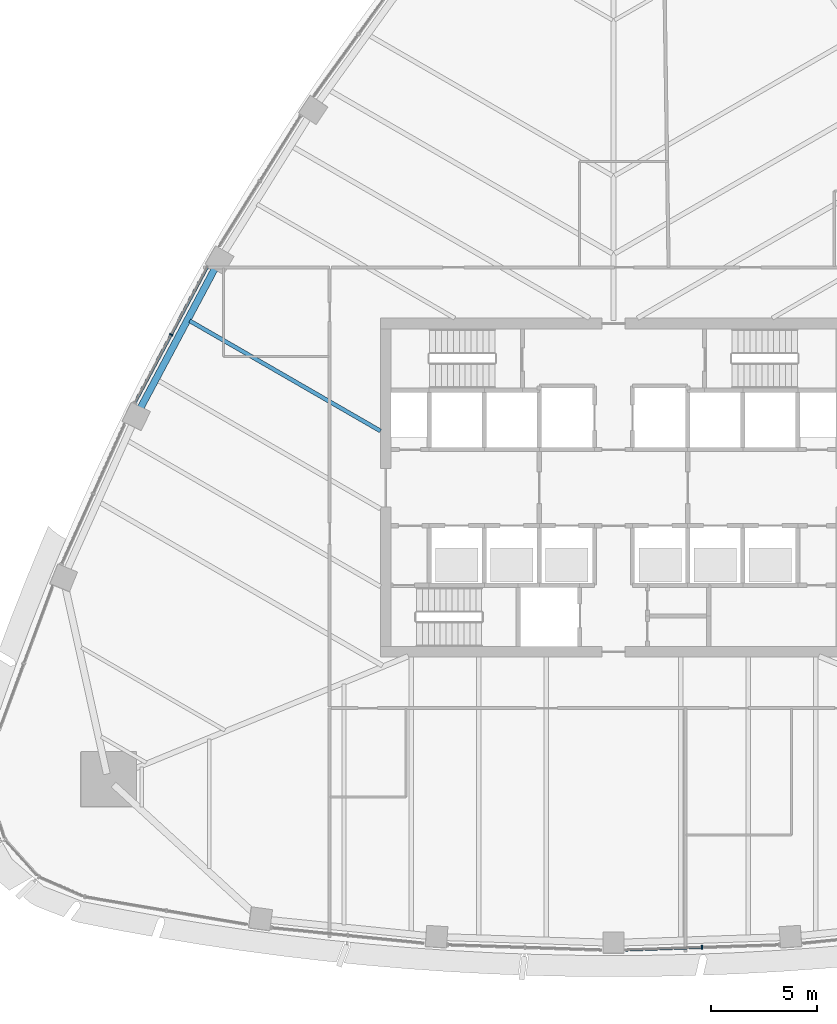
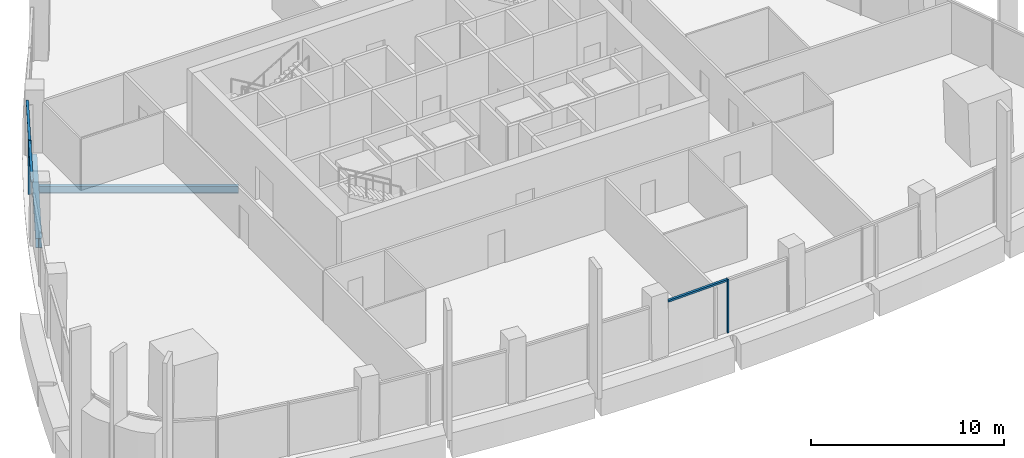
# One storey, part 3 of 17: 5 members, 2 beams, 2 elements without a shape of their own.
"""IFC4 building model written with IfcOpenShell, lengths in metres."""

from ifc_helpers import new_model, si_unit, direction, frame, origin, origin_2d, place, context, subcontext, project, spatial, rectangle, i_section, extrude, material, layer, layer_set, material_profile, profile_set, type_object, element, aggregate, save


model = new_model("IFC4")

# Units and contexts
model_context = context("Model", 3, precision=1e-05, world=origin(), true_north=direction((0.0, 1.0)))
body_context = subcontext(model_context, "Body", "Model", "MODEL_VIEW")
ifc_project = project(units=[si_unit("LENGTHUNIT", "METRE"), si_unit("AREAUNIT", "SQUARE_METRE"), si_unit("VOLUMEUNIT", "CUBIC_METRE"), si_unit("PLANEANGLEUNIT", "RADIAN"), si_unit("MASSUNIT", "GRAM", prefix="KILO")], contexts=[model_context])

# Site, building, storey
site_placement = place(None, origin())
site = spatial("IfcSite", under=ifc_project, at=site_placement, CompositionType="ELEMENT")
building_placement = place(site_placement, origin())
building = spatial("IfcBuilding", under=site, at=building_placement, Name="Sierra Prisma Convention Tower", CompositionType="ELEMENT")
storey_placement = place(building_placement, frame((0.0, 0.0, 169.800048828125)))
storey = spatial("IfcBuildingStorey", under=building, at=storey_placement, Name="L37", CompositionType="ELEMENT", Elevation=169.800048828125)

# Curtain wall, member
ifc_material_1 = material(Name="Aluminium and glass curtain wall", Category="aluminium")
ifc_layer = layer(ifc_material_1, 0.179931640625)
ifc_layer_set = layer_set([ifc_layer], Name="CW-1 Plain shaft curtain wall")
curtain_wall_type = type_object("IfcCurtainWallType", Name="CW-1 Plain shaft curtain wall", PredefinedType="NOTDEFINED", material=ifc_layer_set)
curtain_wall_1_placement = place(storey_placement, origin())
curtain_wall_1 = element("IfcCurtainWall", 1, at=curtain_wall_1_placement, inside=storey, type_object=curtain_wall_type, Name="CW-1 S4 L37", PredefinedType="NOTDEFINED")
ifc_material_2 = material(Name="Aluminium 6063-T6 bronze anodised", Category="aluminium")
ifc_material_profile_1 = material_profile(ifc_material_2, rectangle(XDim=0.179931640625, YDim=0.070068359375, at=origin_2d()), Name="ALU MULLION 70x180")
ifc_profile_set_1 = profile_set([ifc_material_profile_1], Name="Aluminium 6063-T6 bronze anodised")
member_type_1 = type_object("IfcMemberType", Name="CW mullion bronze", PredefinedType="MULLION", material=ifc_profile_set_1)
member_1_placement = place(storey_placement, frame((4.184326171875, -21.691650390625, 0.0), z_axis=(0.0, 0.0, 1.0), x_axis=(-0.033714158083, 0.999431516185, 0.0)))
member_1 = element("IfcMember", 2, at=member_1_placement, type_object=member_type_1, Name="CW-1 mullion S4.2", PredefinedType="MULLION", context=body_context, shape_type="SweptSolid", body=[
    extrude(rectangle(XDim=0.179931640625, YDim=0.070068359375, at=origin_2d()), origin(), (0.0, 0.0, 1.0), 3.39990234375),
])

curtain_wall_2_placement = place(storey_placement, origin())
curtain_wall_2 = element("IfcCurtainWall", 3, at=curtain_wall_2_placement, inside=storey, type_object=curtain_wall_type, Name="CW-1 NW4 L37", PredefinedType="NOTDEFINED")
member_2_placement = place(storey_placement, frame((-20.877685546875, 7.221923828125, 0.0), z_axis=(0.0, 0.0, 1.0), x_axis=(0.882390161401, -0.470518440726, 0.0)))
member_2 = element("IfcMember", 4, at=member_2_placement, type_object=member_type_1, Name="CW-1 mullion NW4.2", PredefinedType="MULLION", context=body_context, shape_type="SweptSolid", body=[
    extrude(rectangle(XDim=0.179931640625, YDim=0.070068359375, at=origin_2d()), origin(), (0.0, 0.0, 1.0), 3.39990234375),
])

# Member
ifc_material_3 = material(Name="Aluminium 6063-T6 bronze anodised", Category="aluminium")
ifc_material_profile_2 = material_profile(ifc_material_3, rectangle(XDim=0.139892578125, YDim=0.1201171875, at=origin_2d()), Name="ALU TRANSOM 120x140")
ifc_profile_set_2 = profile_set([ifc_material_profile_2], Name="Aluminium 6063-T6 bronze anodised")
member_type_2 = type_object("IfcMemberType", Name="CW transom bronze", PredefinedType="USERDEFINED", material=ifc_profile_set_2)
member_3_placement = place(storey_placement, frame((0.569580078125, -21.813720703125, 3.33984375), z_axis=(0.999430670451, 0.033739219933, 0.0), x_axis=(-0.033739219933, 0.999430670451, 0.0)))
member_3 = element("IfcMember", 5, at=member_3_placement, type_object=member_type_2, Name="CW-1 transom S4.1", ObjectType="TRANSOM", PredefinedType="USERDEFINED", context=body_context, shape_type="SweptSolid", body=[
    extrude(rectangle(XDim=0.139892578125, YDim=0.1201171875, at=origin_2d()), origin(), (0.0, 0.0, 1.0), 3.581787109375),
])

aggregate(curtain_wall_1, [member_1, member_3])

member_4_placement = place(storey_placement, frame((-19.176025390625, 10.41357421875, 3.33984375), z_axis=(-0.470506866098, -0.882396333262, 0.0), x_axis=(0.882396333262, -0.470506866098, 0.0)))
member_4 = element("IfcMember", 6, at=member_4_placement, type_object=member_type_2, Name="CW-1 transom NW4.1", ObjectType="TRANSOM", PredefinedType="USERDEFINED", context=body_context, shape_type="SweptSolid", body=[
    extrude(rectangle(XDim=0.139892578125, YDim=0.1201171875, at=origin_2d()), origin(), (0.0, 0.0, 1.0), 3.581787109375),
])

member_5_placement = place(storey_placement, frame((-20.894287109375, 7.191162109375, 3.33984375), z_axis=(-0.470506866098, -0.882396333262, 0.0), x_axis=(0.882396333262, -0.470506866098, 0.0)))
member_5 = element("IfcMember", 7, at=member_5_placement, type_object=member_type_2, Name="CW-1 transom NW4.2", ObjectType="TRANSOM", PredefinedType="USERDEFINED", context=body_context, shape_type="SweptSolid", body=[
    extrude(rectangle(XDim=0.139892578125, YDim=0.1201171875, at=origin_2d()), origin(), (0.0, 0.0, 1.0), 3.581787109375),
])

aggregate(curtain_wall_2, [member_2, member_4, member_5])

# Beams
ifc_material_4 = material(Name="Steel ASTM A992 Gr 50", Category="steel")
ifc_material_profile_3 = material_profile(ifc_material_4, i_section(OverallWidth=0.18994140625, OverallDepth=0.45703125, WebThickness=0.009033203125, FlangeThickness=0.014404296875, at=origin_2d()), Name="W460x74")
ifc_profile_set_3 = profile_set([ifc_material_profile_3], Name="Steel ASTM A992 Gr 50")
beam_type_1 = type_object("IfcBeamType", Name="Floor joist W460x74", PredefinedType="JOIST", material=ifc_profile_set_3)
beam_1_placement = place(storey_placement, frame((-20.0048828125, 7.87646484375, -0.378662109375), z_axis=(0.866025274956, -0.500000223137, 0.0), x_axis=(0.500000223137, 0.866025274956, 0.0)))
element("IfcBeam", 8, at=beam_1_placement, inside=storey, type_object=beam_type_1, Name="Floor joist L37 NW09", PredefinedType="JOIST", context=body_context, shape_type="SweptSolid", body=[
    extrude(i_section(OverallWidth=0.18994140625, OverallDepth=0.45703125, WebThickness=0.009033203125, FlangeThickness=0.014404296875, at=origin_2d()), origin(), (0.0, 0.0, 1.0), 10.39794921875),
])
ifc_material_5 = material(Name="Steel ASTM A992 Gr 50", Category="steel")
ifc_material_profile_4 = material_profile(ifc_material_5, i_section(OverallWidth=0.324951171875, OverallDepth=0.615966796875, WebThickness=0.013916015625, FlangeThickness=0.021484375, at=origin_2d()), Name="W610x174")
ifc_profile_set_4 = profile_set([ifc_material_profile_4], Name="Steel ASTM A992 Gr 50")
beam_type_2 = type_object("IfcBeamType", Name="Spandrel beam W610x174", PredefinedType="BEAM", material=ifc_profile_set_4)
beam_2_placement = place(storey_placement, frame((-18.78369140625, 10.40576171875, -0.4580078125), z_axis=(-0.470504886202, -0.882397388969, 0.0), x_axis=(0.882397388969, -0.470504886202, 0.0)))
element("IfcBeam", 9, at=beam_2_placement, inside=storey, type_object=beam_type_2, Name="Spandrel L37-16", PredefinedType="BEAM", context=body_context, shape_type="SweptSolid", body=[
    extrude(i_section(OverallWidth=0.324951171875, OverallDepth=0.615966796875, WebThickness=0.013916015625, FlangeThickness=0.021484375, at=origin_2d()), origin(), (0.0, 0.0, 1.0), 7.601806640625),
])

save(model, "model.ifc")
